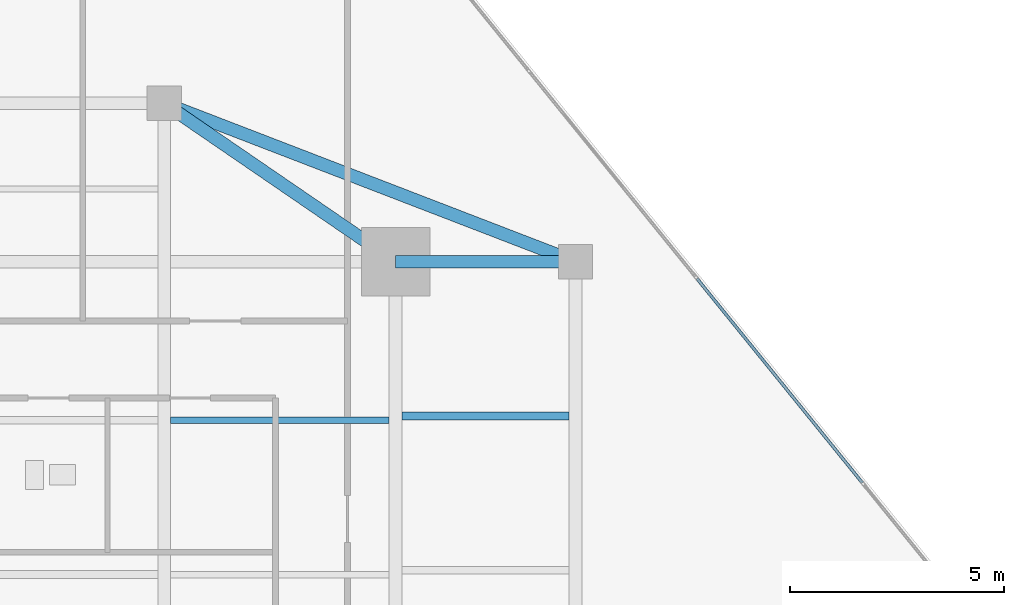
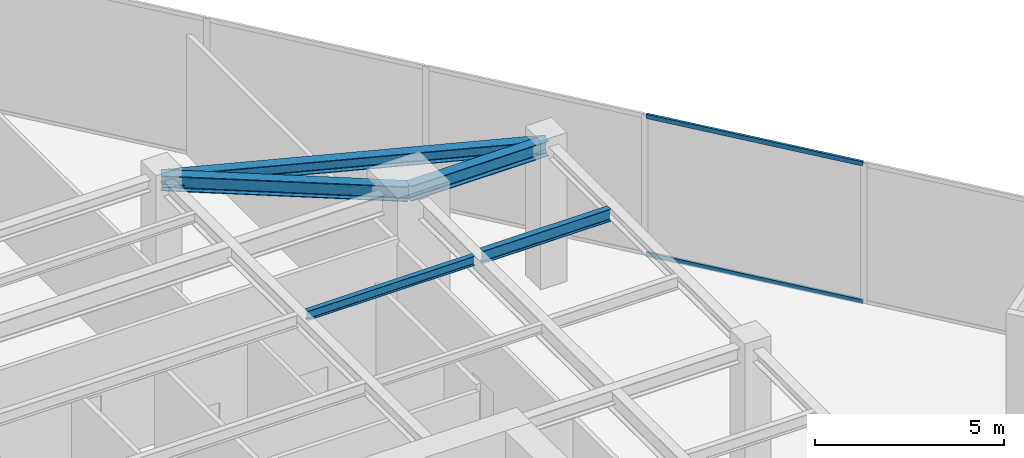
# One storey, part 15 of 22: 5 beams, 2 members, 1 element without a shape of its own.
"""IFC4 building model written with IfcOpenShell, lengths in metres."""

from ifc_helpers import new_model, si_unit, direction, frame, origin, origin_2d, place, context, subcontext, project, spatial, hollow_rectangle, i_section, extrude, source, transform, mapped, material, material_profile, profile_set, type_object, type_shapes, element, aggregate, save


model = new_model("IFC4")

# Units and contexts
model_context = context("Model", 3, precision=1e-05, world=origin(), true_north=direction((0.0, 1.0)))
body_context = subcontext(model_context, "Body", "Model", "MODEL_VIEW")
ifc_project = project(units=[si_unit("LENGTHUNIT", "METRE"), si_unit("AREAUNIT", "SQUARE_METRE"), si_unit("VOLUMEUNIT", "CUBIC_METRE"), si_unit("PLANEANGLEUNIT", "RADIAN"), si_unit("MASSUNIT", "GRAM", prefix="KILO")], contexts=[model_context])

# Site, building, storey
site_placement = place(None, origin())
site = spatial("IfcSite", under=ifc_project, at=site_placement, CompositionType="ELEMENT")
building_placement = place(site_placement, origin())
building = spatial("IfcBuilding", under=site, at=building_placement, Name="Krantzveldt Concourse Tower", CompositionType="ELEMENT")
storey_placement = place(building_placement, frame((0.0, 0.0, 262.60009765625)))
storey = spatial("IfcBuildingStorey", under=building, at=storey_placement, Name="L64", CompositionType="ELEMENT", Elevation=262.60009765625)

# Beams
ifc_material_1 = material(Name="Steel S355JR", Category="steel")
ifc_material_profile_1 = material_profile(ifc_material_1, i_section(OverallWidth=0.300048828125, OverallDepth=0.389892578125, WebThickness=0.010986328125, FlangeThickness=0.01904296875, FilletRadius=0.027099609375, at=origin_2d()), Name="Steel S355JR", Category="steel")
ifc_profile_set_1 = profile_set([ifc_material_profile_1], Name="Steel S355JR - HEA 400")
beam_type_1 = type_object("IfcBeamType", Name="BM-SP-HEA400", PredefinedType="SPANDREL", material=ifc_profile_set_1)
shared_shape_1 = source(origin(), body_context, "Body", "SweptSolid", [
    extrude(i_section(OverallWidth=0.300048828125, OverallDepth=0.389892578125, WebThickness=0.010986328125, FlangeThickness=0.01904296875, FilletRadius=0.027099609375, at=origin_2d()), origin(), (0.0, 0.0, 1.0), 10.288330078125),
])
type_shapes(beam_type_1, [shared_shape_1])
beam_1_placement = place(storey_placement, frame((41.39990234375, 41.199951171875, 4.324951171875), z_axis=(0.933097690408, -0.359622997257, 0.0), x_axis=(0.359622997257, 0.933097690408, 0.0)))
element("IfcBeam", 1, at=beam_1_placement, inside=storey, type_object=beam_type_1, Name="L64 Tower Girder SP-R05", PredefinedType="SPANDREL", context=body_context, shape_type="MappedRepresentation", body=[
    mapped(shared_shape_1, transform((0.0, 0.0, 0.0), x_axis=(1.0, 0.0, 0.0), y_axis=(0.0, 1.0, 0.0), z_axis=(0.0, 0.0, 1.0), scale=1.0)),
])
ifc_material_profile_2 = material_profile(ifc_material_1, i_section(OverallWidth=0.300048828125, OverallDepth=0.489990234375, WebThickness=0.011962890625, FlangeThickness=0.02294921875, FilletRadius=0.027099609375, at=origin_2d()), Name="Steel S355JR", Category="steel")
ifc_profile_set_2 = profile_set([ifc_material_profile_2], Name="Steel S355JR - HEA 500")
beam_type_2 = type_object("IfcBeamType", Name="BM-B-HEA500", PredefinedType="BEAM", material=ifc_profile_set_2)
shared_shape_2 = source(origin(), body_context, "Body", "SweptSolid", [
    extrude(i_section(OverallWidth=0.300048828125, OverallDepth=0.489990234375, WebThickness=0.011962890625, FlangeThickness=0.02294921875, FilletRadius=0.027099609375, at=origin_2d()), origin(), (0.0, 0.0, 1.0), 4.199951171875),
])
beam_2_placement = place(storey_placement, frame((46.800048828125, 37.5, 4.27490234375), z_axis=(1.0, 0.0, 0.0), x_axis=(0.0, 1.0, 0.0)))
element("IfcBeam", 2, at=beam_2_placement, inside=storey, type_object=beam_type_2, Name="L64 Tower Girder BR-RR3", PredefinedType="BEAM", context=body_context, shape_type="MappedRepresentation", body=[
    mapped(shared_shape_2, transform((0.0, 0.0, 0.0), x_axis=(1.0, 0.0, 0.0), y_axis=(0.0, 1.0, 0.0), z_axis=(0.0, 0.0, 1.0), scale=1.0)),
])
shared_shape_3 = source(origin(), body_context, "Body", "SweptSolid", [
    extrude(i_section(OverallWidth=0.300048828125, OverallDepth=0.489990234375, WebThickness=0.011962890625, FlangeThickness=0.02294921875, FilletRadius=0.027099609375, at=origin_2d()), origin(), (0.0, 0.0, 1.0), 6.546142578125),
])
type_shapes(beam_type_2, [shared_shape_2, shared_shape_3])
beam_3_placement = place(storey_placement, frame((46.800048828125, 37.5, 4.27490234375), z_axis=(-0.824942999484, 0.565215930068, 0.0), x_axis=(-0.565215930068, -0.824942999484, 0.0)))
element("IfcBeam", 3, at=beam_3_placement, inside=storey, type_object=beam_type_2, Name="L64 Tower Girder BR-RR4", PredefinedType="BEAM", context=body_context, shape_type="MappedRepresentation", body=[
    mapped(shared_shape_3, transform((0.0, 0.0, 0.0), x_axis=(1.0, 0.0, 0.0), y_axis=(0.0, 1.0, 0.0), z_axis=(0.0, 0.0, 1.0), scale=1.0)),
])
ifc_material_profile_3 = material_profile(ifc_material_1, i_section(OverallWidth=0.14990234375, OverallDepth=0.300048828125, WebThickness=0.007080078125, FlangeThickness=0.0107421875, FilletRadius=0.014892578125, at=origin_2d()), Name="Steel S355JR", Category="steel")
ifc_profile_set_3 = profile_set([ifc_material_profile_3], Name="Steel S355JR - IPE 300")
beam_type_3 = type_object("IfcBeamType", Name="BM-J-IPE300", PredefinedType="JOIST", material=ifc_profile_set_3)
shared_shape_4 = source(origin(), body_context, "Body", "SweptSolid", [
    extrude(i_section(OverallWidth=0.14990234375, OverallDepth=0.300048828125, WebThickness=0.007080078125, FlangeThickness=0.0107421875, FilletRadius=0.014892578125, at=origin_2d()), origin(), (0.0, 0.0, 1.0), 5.099853515625),
])
type_shapes(beam_type_3, [shared_shape_4])
beam_4_placement = place(storey_placement, frame((41.550048828125, 33.800048828125, 4.369873046875), z_axis=(1.0, 0.0, 0.0), x_axis=(0.0, 1.0, 0.0)))
element("IfcBeam", 4, at=beam_4_placement, inside=storey, type_object=beam_type_3, Name="L64 Secondary Floor Joist JN-E2", PredefinedType="JOIST", context=body_context, shape_type="MappedRepresentation", body=[
    mapped(shared_shape_4, transform((0.0, 0.0, 0.0), x_axis=(1.0, 0.0, 0.0), y_axis=(0.0, 1.0, 0.0), z_axis=(0.0, 0.0, 1.0), scale=1.0)),
])
ifc_material_profile_4 = material_profile(ifc_material_1, i_section(OverallWidth=0.179931640625, OverallDepth=0.39990234375, WebThickness=0.008544921875, FlangeThickness=0.013427734375, FilletRadius=0.02099609375, at=origin_2d()), Name="Steel S355JR", Category="steel")
ifc_profile_set_4 = profile_set([ifc_material_profile_4], Name="Steel S355JR - IPE 400")
beam_type_4 = type_object("IfcBeamType", Name="BM-J-IPE400", PredefinedType="JOIST", material=ifc_profile_set_4)
shared_shape_5 = source(origin(), body_context, "Body", "SweptSolid", [
    extrude(i_section(OverallWidth=0.179931640625, OverallDepth=0.39990234375, WebThickness=0.008544921875, FlangeThickness=0.013427734375, FilletRadius=0.02099609375, at=origin_2d()), origin(), (0.0, 0.0, 1.0), 3.900146484375),
])
type_shapes(beam_type_4, [shared_shape_5])
beam_5_placement = place(storey_placement, frame((46.949951171875, 33.89990234375, 4.31982421875), z_axis=(1.0, 0.0, 0.0), x_axis=(0.0, 1.0, 0.0)))
element("IfcBeam", 5, at=beam_5_placement, inside=storey, type_object=beam_type_4, Name="L64 Secondary Floor Joist JE-4", PredefinedType="JOIST", context=body_context, shape_type="MappedRepresentation", body=[
    mapped(shared_shape_5, transform((0.0, 0.0, 0.0), x_axis=(1.0, 0.0, 0.0), y_axis=(0.0, 1.0, 0.0), z_axis=(0.0, 0.0, 1.0), scale=1.0)),
])

# Curtain wall, members
ifc_material_2 = material(Name="Anodised aluminium 6063-T6", Category="aluminium")
curtain_wall_type = type_object("IfcCurtainWallType", Name="CW5", PredefinedType="USERDEFINED", material=ifc_material_2)
curtain_wall_placement = place(storey_placement, origin())
curtain_wall = element("IfcCurtainWall", 6, at=curtain_wall_placement, inside=storey, type_object=curtain_wall_type, Name="CW-L64-F10", ObjectType="UNITISED CURTAIN WALL", PredefinedType="USERDEFINED")
ifc_material_profile_5 = material_profile(ifc_material_2, hollow_rectangle(XDim=0.070068359375, YDim=0.139892578125, WallThickness=0.0048828125, at=origin_2d()), Name="Anodised aluminium 6063-T6", Category="aluminium")
ifc_profile_set_5 = profile_set([ifc_material_profile_5], Name="Anodised aluminium 6063-T6 - ALU-TRAN 140x70x5")
member_type = type_object("IfcMemberType", Name="CW-TRN-150", PredefinedType="USERDEFINED", material=ifc_profile_set_5)
shared_shape_6 = source(origin(), body_context, "Body", "SweptSolid", [
    extrude(hollow_rectangle(XDim=0.070068359375, YDim=0.139892578125, WallThickness=0.0048828125, at=origin_2d()), origin(), (0.0, 0.0, 1.0), 6.1298828125),
])
type_shapes(member_type, [shared_shape_6])
member_1_placement = place(storey_placement, frame((57.692138671875, 32.34423828125, 0.034912109375), z_axis=(-0.629312793813, 0.777152113517, 0.0), x_axis=(-0.777152113517, -0.629312793813, 0.0)))
member_1 = element("IfcMember", 7, at=member_1_placement, type_object=member_type, Name="CW-SKY transom 2.1", ObjectType="TRANSOM", PredefinedType="USERDEFINED", context=body_context, shape_type="MappedRepresentation", body=[
    mapped(shared_shape_6, transform((0.0, 0.0, 0.0), x_axis=(1.0, 0.0, 0.0), y_axis=(0.0, 1.0, 0.0), z_axis=(0.0, 0.0, 1.0), scale=1.0)),
])
member_2_placement = place(storey_placement, frame((57.692138671875, 32.34423828125, 4.48486328125), z_axis=(-0.629312793813, 0.777152113517, 0.0), x_axis=(-0.777152113517, -0.629312793813, 0.0)))
member_2 = element("IfcMember", 8, at=member_2_placement, type_object=member_type, Name="CW-SKY transom 2.2", ObjectType="TRANSOM", PredefinedType="USERDEFINED", context=body_context, shape_type="MappedRepresentation", body=[
    mapped(shared_shape_6, transform((0.0, 0.0, 0.0), x_axis=(1.0, 0.0, 0.0), y_axis=(0.0, 1.0, 0.0), z_axis=(0.0, 0.0, 1.0), scale=1.0)),
])
aggregate(curtain_wall, [member_1, member_2])

save(model, "model.ifc")
